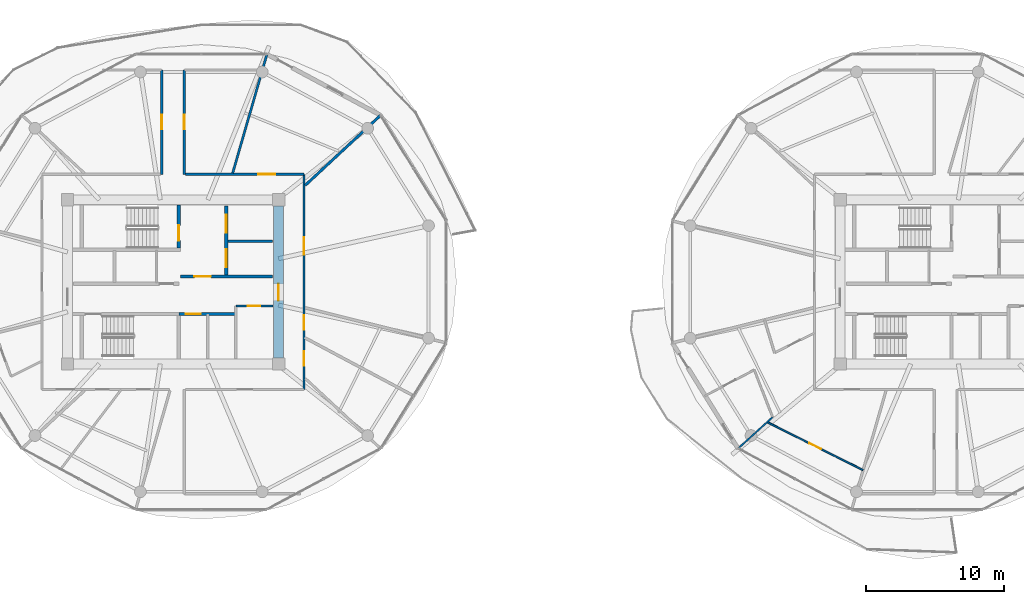
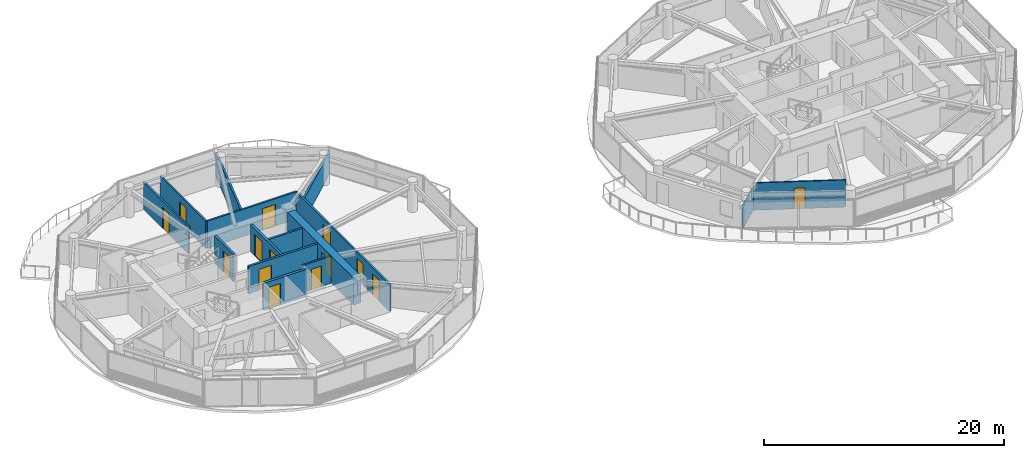
# One storey, part 16 of 23: 15 walls, 14 doors, 14 openings.
"""IFC4 building model written with IfcOpenShell, lengths in metres."""

from ifc_helpers import new_model, si_unit, direction, frame, frame_2d, origin, place, context, subcontext, project, spatial, rectangle, extrude, source, transform, mapped, material, layer, layer_set, type_object, type_shapes, element, fill, save


model = new_model("IFC4")

# Units and contexts
model_context = context("Model", 3, precision=1e-05, world=origin(), true_north=direction((0.0, 1.0)))
body_context = subcontext(model_context, "Body", "Model", "MODEL_VIEW")
ifc_project = project(units=[si_unit("LENGTHUNIT", "METRE"), si_unit("AREAUNIT", "SQUARE_METRE"), si_unit("VOLUMEUNIT", "CUBIC_METRE"), si_unit("PLANEANGLEUNIT", "RADIAN"), si_unit("MASSUNIT", "GRAM", prefix="KILO")], contexts=[model_context])

# Site, building, storey
site_placement = place(None, origin())
site = spatial("IfcSite", under=ifc_project, at=site_placement, CompositionType="ELEMENT")
building_placement = place(site_placement, origin())
building = spatial("IfcBuilding", under=site, at=building_placement, Name="Norrkilde Senior Care Towers", CompositionType="ELEMENT")
storey_placement = place(building_placement, frame((0.0, 0.0, 81.0)))
storey = spatial("IfcBuildingStorey", under=building, at=storey_placement, Name="L24", CompositionType="ELEMENT", Elevation=81.0)

# Wall, opening, door
ifc_material_1 = material(Name="Concrete C60/75", Category="concrete")
ifc_layer_1 = layer(ifc_material_1, 0.719970703125)
ifc_layer_set_1 = layer_set([ifc_layer_1], Name="Concrete C60/75")
wall_type_1 = type_object("IfcWallType", Name="Core Shear Wall Z2 720", PredefinedType="SHEAR", material=ifc_layer_set_1)
shared_shape_1 = source(origin(), body_context, "Body", "SweptSolid", [
    extrude(rectangle(XDim=11.0, YDim=0.719970703125, at=frame_2d((5.5, 0.0))), origin(), (0.0, 0.0, 1.0), 2.7900390625),
])
type_shapes(wall_type_1, [shared_shape_1])
wall_1_placement = place(storey_placement, frame((-20.35009765625, 5.5, 0.0), z_axis=(0.0, 0.0, 1.0), x_axis=(0.0, -1.0, 0.0)))
wall_1 = element("IfcWall", 1, at=wall_1_placement, inside=storey, type_object=wall_type_1, Name="L24 Core W East Shear Wall", PredefinedType="SHEAR", context=body_context, shape_type="MappedRepresentation", body=[
    mapped(shared_shape_1, transform((0.0, 0.0, 0.0), x_axis=(1.0, 0.0, 0.0), y_axis=(0.0, 1.0, 0.0), z_axis=(0.0, 0.0, 1.0), scale=1.0)),
])
opening_1_placement = place(wall_1_placement, frame((5.64990234375, 0.0, 0.0)))
opening_1 = element("IfcOpeningElement", 2, at=opening_1_placement, cuts=wall_1, Name="Opening D-04", PredefinedType="OPENING", context=body_context, shape_type="SweptSolid", body=[
    extrude(rectangle(XDim=1.199951171875, YDim=2.14990234375, at=frame_2d((0.60009765625, 1.074951171875))), frame((0.0, 0.369873046875, 0.0), z_axis=(0.0, -1.0, 0.0), x_axis=(1.0, 0.0, 0.0)), (0.0, 0.0, 1.0), 0.739990234375),
])
ifc_material_2 = material(Name="Galvanised Painted Steel", Category="steel")
door_type_1 = type_object("IfcDoorType", Name="Firefighting Lobby Fire Door 1200x2150", OperationType="NOTDEFINED", PredefinedType="DOOR", material=ifc_material_2)
shared_shape_2 = source(origin(), body_context, "Body", "SweptSolid", [
    extrude(rectangle(XDim=1.199951171875, YDim=2.14990234375, at=frame_2d((0.60009765625, 1.074951171875))), frame((0.0, 0.02490234375, 0.0), z_axis=(0.0, -1.0, 0.0), x_axis=(1.0, 0.0, 0.0)), (0.0, 0.0, 1.0), 0.050048828125),
])
type_shapes(door_type_1, [shared_shape_2])
door_1_placement = place(opening_1_placement, frame((1.199951171875, 0.0, 0.0), z_axis=(0.0, 0.0, 1.0), x_axis=(-1.0, 0.0, 0.0)))
door_1 = element("IfcDoor", 3, at=door_1_placement, inside=storey, type_object=door_type_1, Name="L24 Core W East Portal Door", OperationType="SINGLE_SWING_RIGHT", OverallHeight=2.14990234375, OverallWidth=1.199951171875, PredefinedType="DOOR", context=body_context, shape_type="MappedRepresentation", body=[
    mapped(shared_shape_2, transform((0.0, 0.0, 0.0), x_axis=(1.0, 0.0, 0.0), y_axis=(0.0, 1.0, 0.0), z_axis=(0.0, 0.0, 1.0), scale=1.0)),
])
fill(opening_1, door_1)

# Wall, openings, doors
ifc_material_3 = material(Name="Concrete C45/55", Category="concrete")
ifc_layer_2 = layer(ifc_material_3, 0.239990234375)
ifc_layer_set_2 = layer_set([ifc_layer_2], Name="Concrete C45/55")
wall_type_2 = type_object("IfcWallType", Name="Lift and Plant Rated Enclosure Partition 240", PredefinedType="PARTITIONING", material=ifc_layer_set_2)
shared_shape_3 = source(origin(), body_context, "Body", "SweptSolid", [
    extrude(rectangle(XDim=5.0, YDim=0.239990234375, at=frame_2d((2.5, 0.0))), origin(), (0.0, 0.0, 1.0), 2.77490234375),
])
wall_2_placement = place(storey_placement, frame((-24.139892578125, 0.5, 0.0), z_axis=(0.0, 0.0, 1.0), x_axis=(0.0, 1.0, 0.0)))
wall_2 = element("IfcWall", 4, at=wall_2_placement, inside=storey, type_object=wall_type_2, Name="WL-INT-L24-W-FFLE", PredefinedType="PARTITIONING", context=body_context, shape_type="MappedRepresentation", body=[
    mapped(shared_shape_3, transform((0.0, 0.0, 0.0), x_axis=(1.0, 0.0, 0.0), y_axis=(0.0, 1.0, 0.0), z_axis=(0.0, 0.0, 1.0), scale=1.0)),
])
opening_2_placement = place(wall_2_placement, frame((3.050048828125, 0.0, 0.0)))
opening_2 = element("IfcOpeningElement", 5, at=opening_2_placement, cuts=wall_2, Name="Opening LD-02", PredefinedType="OPENING", context=body_context, shape_type="SweptSolid", body=[
    extrude(rectangle(XDim=1.300048828125, YDim=2.199951171875, at=frame_2d((0.64990234375, 1.10009765625))), frame((0.0, 0.1298828125, 0.0), z_axis=(0.0, -1.0, 0.0), x_axis=(1.0, 0.0, 0.0)), (0.0, 0.0, 1.0), 0.260009765625),
])
opening_3_placement = place(wall_2_placement, frame((0.550048828125, 0.0, 0.0)))
opening_3 = element("IfcOpeningElement", 6, at=opening_3_placement, cuts=wall_2, Name="Opening LD-02", PredefinedType="OPENING", context=body_context, shape_type="SweptSolid", body=[
    extrude(rectangle(XDim=1.300048828125, YDim=2.199951171875, at=frame_2d((0.64990234375, 1.10009765625))), frame((0.0, 0.1298828125, 0.0), z_axis=(0.0, -1.0, 0.0), x_axis=(1.0, 0.0, 0.0)), (0.0, 0.0, 1.0), 0.260009765625),
])
ifc_material_4 = material(Name="Stainless Steel", Category="steel")
door_type_2 = type_object("IfcDoorType", Name="Stretcher and FFL Landing Sliding Door 1300x2200", OperationType="NOTDEFINED", PredefinedType="DOOR", material=ifc_material_4)
shared_shape_4 = source(origin(), body_context, "Body", "SweptSolid", [
    extrude(rectangle(XDim=1.300048828125, YDim=2.199951171875, at=frame_2d((0.64990234375, 1.10009765625))), frame((0.0, 0.02490234375, 0.0), z_axis=(0.0, -1.0, 0.0), x_axis=(1.0, 0.0, 0.0)), (0.0, 0.0, 1.0), 0.050048828125),
])
type_shapes(door_type_2, [shared_shape_4])
door_2_placement = place(opening_2_placement, origin())
door_2 = element("IfcDoor", 7, at=door_2_placement, inside=storey, type_object=door_type_2, Name="L24 Firefighting Lift W1 Landing Door", OperationType="SLIDING_TO_LEFT", OverallHeight=2.199951171875, OverallWidth=1.300048828125, PredefinedType="DOOR", context=body_context, shape_type="MappedRepresentation", body=[
    mapped(shared_shape_4, transform((0.0, 0.0, 0.0), x_axis=(1.0, 0.0, 0.0), y_axis=(0.0, 1.0, 0.0), z_axis=(0.0, 0.0, 1.0), scale=1.0)),
])
fill(opening_2, door_2)
door_3_placement = place(opening_3_placement, origin())
door_3 = element("IfcDoor", 8, at=door_3_placement, inside=storey, type_object=door_type_2, Name="L24 Stretcher Lift W1 Landing Door", OperationType="SLIDING_TO_RIGHT", OverallHeight=2.199951171875, OverallWidth=1.300048828125, PredefinedType="DOOR", context=body_context, shape_type="MappedRepresentation", body=[
    mapped(shared_shape_4, transform((0.0, 0.0, 0.0), x_axis=(1.0, 0.0, 0.0), y_axis=(0.0, 1.0, 0.0), z_axis=(0.0, 0.0, 1.0), scale=1.0)),
])
fill(opening_3, door_3)

# Wall
ifc_layer_3 = layer(ifc_material_3, 0.199951171875)
ifc_layer_set_3 = layer_set([ifc_layer_3], Name="Concrete C45/55")
wall_type_3 = type_object("IfcWallType", Name="Shaft Division and Plant Partition 200", PredefinedType="PARTITIONING", material=ifc_layer_set_3)
shared_shape_5 = source(origin(), body_context, "Body", "SweptSolid", [
    extrude(rectangle(XDim=3.199951171875, YDim=0.199951171875, at=frame_2d((1.60009765625, 0.0))), origin(), (0.0, 0.0, 1.0), 2.77490234375),
])
type_shapes(wall_type_3, [shared_shape_5])
wall_3_placement = place(storey_placement, frame((-24.0, 2.949951171875, 0.0), z_axis=(0.0, 0.0, 1.0), x_axis=(1.0, 0.0, 0.0)))
element("IfcWall", 9, at=wall_3_placement, inside=storey, type_object=wall_type_3, Name="WL-INT-L24-W-FFLDIV", PredefinedType="PARTITIONING", context=body_context, shape_type="MappedRepresentation", body=[
    mapped(shared_shape_5, transform((0.0, 0.0, 0.0), x_axis=(1.0, 0.0, 0.0), y_axis=(0.0, 1.0, 0.0), z_axis=(0.0, 0.0, 1.0), scale=1.0)),
])

# Wall, opening, door
ifc_layer_4 = layer(ifc_material_3, 0.2099609375)
ifc_layer_set_4 = layer_set([ifc_layer_4], Name="Concrete C45/55")
wall_type_4 = type_object("IfcWallType", Name="Firefighting Lobby Wall 210", PredefinedType="PARTITIONING", material=ifc_layer_set_4)
shared_shape_6 = source(origin(), body_context, "Body", "SweptSolid", [
    extrude(rectangle(XDim=6.659912109375, YDim=0.2099609375, at=frame_2d((3.330078125, 0.0))), origin(), (0.0, 0.0, 1.0), 2.77490234375),
])
type_shapes(wall_type_4, [shared_shape_6])
wall_4_placement = place(storey_placement, frame((-27.4599609375, 0.389892578125, 0.0), z_axis=(0.0, 0.0, 1.0), x_axis=(1.0, 0.0, 0.0)))
wall_4 = element("IfcWall", 10, at=wall_4_placement, inside=storey, type_object=wall_type_4, Name="WL-INT-L24-W-FFLS", PredefinedType="PARTITIONING", context=body_context, shape_type="MappedRepresentation", body=[
    mapped(shared_shape_6, transform((0.0, 0.0, 0.0), x_axis=(1.0, 0.0, 0.0), y_axis=(0.0, 1.0, 0.0), z_axis=(0.0, 0.0, 1.0), scale=1.0)),
])
opening_4_placement = place(wall_4_placement, frame((1.0, 0.0, 0.0)))
opening_4 = element("IfcOpeningElement", 11, at=opening_4_placement, cuts=wall_4, Name="Opening D-04", PredefinedType="OPENING", context=body_context, shape_type="SweptSolid", body=[
    extrude(rectangle(XDim=1.199951171875, YDim=2.14990234375, at=frame_2d((0.60009765625, 1.074951171875))), frame((0.0, 0.114990234375, 0.0), z_axis=(0.0, -1.0, 0.0), x_axis=(1.0, 0.0, 0.0)), (0.0, 0.0, 1.0), 0.22998046875),
])
door_4_placement = place(opening_4_placement, frame((1.199951171875, 0.0, 0.0), z_axis=(0.0, 0.0, 1.0), x_axis=(-1.0, 0.0, 0.0)))
door_4 = element("IfcDoor", 12, at=door_4_placement, inside=storey, type_object=door_type_1, Name="L24 Firefighting Lobby W Door", OperationType="SINGLE_SWING_LEFT", OverallHeight=2.14990234375, OverallWidth=1.199951171875, PredefinedType="DOOR", context=body_context, shape_type="MappedRepresentation", body=[
    mapped(shared_shape_2, transform((0.0, 0.0, 0.0), x_axis=(1.0, 0.0, 0.0), y_axis=(0.0, 1.0, 0.0), z_axis=(0.0, 0.0, 1.0), scale=1.0)),
])
fill(opening_4, door_4)

shared_shape_7 = source(origin(), body_context, "Body", "SweptSolid", [
    extrude(rectangle(XDim=4.130126953125, YDim=0.239990234375, at=frame_2d((2.06494140625, 0.0))), origin(), (0.0, 0.0, 1.0), 2.77490234375),
])
type_shapes(wall_type_2, [shared_shape_3, shared_shape_7])
wall_5_placement = place(storey_placement, frame((-27.580078125, -2.330078125, 0.0), z_axis=(0.0, 0.0, 1.0), x_axis=(1.0, 0.0, 0.0)))
wall_5 = element("IfcWall", 13, at=wall_5_placement, inside=storey, type_object=wall_type_2, Name="WL-INT-L24-W-PKBN", PredefinedType="PARTITIONING", context=body_context, shape_type="MappedRepresentation", body=[
    mapped(shared_shape_7, transform((0.0, 0.0, 0.0), x_axis=(1.0, 0.0, 0.0), y_axis=(0.0, 1.0, 0.0), z_axis=(0.0, 0.0, 1.0), scale=1.0)),
])
opening_5_placement = place(wall_5_placement, frame((0.5, 0.0, 0.0)))
opening_5 = element("IfcOpeningElement", 14, at=opening_5_placement, cuts=wall_5, Name="Opening LD-01", PredefinedType="OPENING", context=body_context, shape_type="SweptSolid", body=[
    extrude(rectangle(XDim=1.10009765625, YDim=2.199951171875, at=frame_2d((0.550048828125, 1.10009765625))), frame((0.0, 0.1298828125, 0.0), z_axis=(0.0, -1.0, 0.0), x_axis=(1.0, 0.0, 0.0)), (0.0, 0.0, 1.0), 0.260009765625),
])
door_type_3 = type_object("IfcDoorType", Name="Lift Landing Sliding Door 1100x2200", OperationType="NOTDEFINED", PredefinedType="DOOR", material=ifc_material_4)
shared_shape_8 = source(origin(), body_context, "Body", "SweptSolid", [
    extrude(rectangle(XDim=1.10009765625, YDim=2.199951171875, at=frame_2d((0.550048828125, 1.10009765625))), frame((0.0, 0.02490234375, 0.0), z_axis=(0.0, -1.0, 0.0), x_axis=(1.0, 0.0, 0.0)), (0.0, 0.0, 1.0), 0.050048828125),
])
type_shapes(door_type_3, [shared_shape_8])
door_5_placement = place(opening_5_placement, frame((1.10009765625, 0.0, 0.0), z_axis=(0.0, 0.0, 1.0), x_axis=(-1.0, 0.0, 0.0)))
door_5 = element("IfcDoor", 15, at=door_5_placement, inside=storey, type_object=door_type_3, Name="L24 Passenger Lift W3 Landing Door", OperationType="SLIDING_TO_LEFT", OverallHeight=2.199951171875, OverallWidth=1.10009765625, PredefinedType="DOOR", context=body_context, shape_type="MappedRepresentation", body=[
    mapped(shared_shape_8, transform((0.0, 0.0, 0.0), x_axis=(1.0, 0.0, 0.0), y_axis=(0.0, 1.0, 0.0), z_axis=(0.0, 0.0, 1.0), scale=1.0)),
])
fill(opening_5, door_5)

ifc_material_5 = material(Name="Gypsum Acoustic Board")
ifc_layer_5 = layer(ifc_material_5, 0.1650390625)
ifc_layer_set_5 = layer_set([ifc_layer_5], Name="Gypsum Acoustic Board")
wall_type_5 = type_object("IfcWallType", Name="Corridor Rated Partition 165", PredefinedType="PARTITIONING", material=ifc_layer_set_5)
shared_shape_9 = source(origin(), body_context, "Body", "SweptSolid", [
    extrude(rectangle(XDim=2.699951171875, YDim=0.1650390625, at=frame_2d((1.35009765625, 0.0))), origin(), (0.0, 0.0, 1.0), 2.77490234375),
])
wall_6_placement = place(storey_placement, frame((-23.449951171875, -1.75, 0.0), z_axis=(0.0, 0.0, 1.0), x_axis=(1.0, 0.0, 0.0)))
wall_6 = element("IfcWall", 16, at=wall_6_placement, inside=storey, type_object=wall_type_5, Name="WL-INT-L24-W-CSN", PredefinedType="PARTITIONING", context=body_context, shape_type="MappedRepresentation", body=[
    mapped(shared_shape_9, transform((0.0, 0.0, 0.0), x_axis=(1.0, 0.0, 0.0), y_axis=(0.0, 1.0, 0.0), z_axis=(0.0, 0.0, 1.0), scale=1.0)),
])
opening_6_placement = place(wall_6_placement, frame((0.85009765625, 0.0, 0.0)))
opening_6 = element("IfcOpeningElement", 17, at=opening_6_placement, cuts=wall_6, Name="Opening D-12", PredefinedType="OPENING", context=body_context, shape_type="SweptSolid", body=[
    extrude(rectangle(XDim=0.925048828125, YDim=2.10009765625, at=frame_2d((0.46240234375, 1.050048828125))), frame((0.0, 0.092529296875, 0.0), z_axis=(0.0, -1.0, 0.0), x_axis=(1.0, 0.0, 0.0)), (0.0, 0.0, 1.0), 0.18505859375),
])
door_type_4 = type_object("IfcDoorType", Name="Core Wet Room Rated Door 925x2100", OperationType="NOTDEFINED", PredefinedType="DOOR", material=ifc_material_2)
shared_shape_10 = source(origin(), body_context, "Body", "SweptSolid", [
    extrude(rectangle(XDim=0.925048828125, YDim=2.10009765625, at=frame_2d((0.46240234375, 1.050048828125))), frame((0.0, 0.02490234375, 0.0), z_axis=(0.0, -1.0, 0.0), x_axis=(1.0, 0.0, 0.0)), (0.0, 0.0, 1.0), 0.050048828125),
])
type_shapes(door_type_4, [shared_shape_10])
door_6_placement = place(opening_6_placement, origin())
door_6 = element("IfcDoor", 18, at=door_6_placement, inside=storey, type_object=door_type_4, Name="L24 Core Utility W Door", OperationType="SINGLE_SWING_LEFT", OverallHeight=2.10009765625, OverallWidth=0.925048828125, PredefinedType="DOOR", context=body_context, shape_type="MappedRepresentation", body=[
    mapped(shared_shape_10, transform((0.0, 0.0, 0.0), x_axis=(1.0, 0.0, 0.0), y_axis=(0.0, 1.0, 0.0), z_axis=(0.0, 0.0, 1.0), scale=1.0)),
])
fill(opening_6, door_6)

# Wall, openings, doors
shared_shape_11 = source(origin(), body_context, "Body", "SweptSolid", [
    extrude(rectangle(XDim=15.60009765625, YDim=0.1650390625, at=frame_2d((7.800048828125, 0.0))), origin(), (0.0, 0.0, 1.0), 2.77490234375),
])
wall_7_placement = place(storey_placement, frame((-18.5, 7.800048828125, 0.0), z_axis=(0.0, 0.0, 1.0), x_axis=(0.0, -1.0, 0.0)))
wall_7 = element("IfcWall", 19, at=wall_7_placement, inside=storey, type_object=wall_type_5, Name="WL-INT-L24-W-CRW-E-0", PredefinedType="PARTITIONING", context=body_context, shape_type="MappedRepresentation", body=[
    mapped(shared_shape_11, transform((0.0, 0.0, 0.0), x_axis=(1.0, 0.0, 0.0), y_axis=(0.0, 1.0, 0.0), z_axis=(0.0, 0.0, 1.0), scale=1.0)),
])
opening_7_placement = place(wall_7_placement, frame((12.8095703125, 0.0, 0.0)))
opening_7 = element("IfcOpeningElement", 20, at=opening_7_placement, cuts=wall_7, Name="Opening D-06", PredefinedType="OPENING", context=body_context, shape_type="SweptSolid", body=[
    extrude(rectangle(XDim=1.050048828125, YDim=2.14990234375, at=frame_2d((0.52490234375, 1.074951171875))), frame((0.0, 0.092529296875, 0.0), z_axis=(0.0, -1.0, 0.0), x_axis=(1.0, 0.0, 0.0)), (0.0, 0.0, 1.0), 0.18505859375),
])
opening_8_placement = place(wall_7_placement, frame((10.21044921875, 0.0, 0.0)))
opening_8 = element("IfcOpeningElement", 21, at=opening_8_placement, cuts=wall_7, Name="Opening D-06", PredefinedType="OPENING", context=body_context, shape_type="SweptSolid", body=[
    extrude(rectangle(XDim=1.050048828125, YDim=2.14990234375, at=frame_2d((0.52490234375, 1.074951171875))), frame((0.0, 0.092529296875, 0.0), z_axis=(0.0, -1.0, 0.0), x_axis=(1.0, 0.0, 0.0)), (0.0, 0.0, 1.0), 0.18505859375),
])
opening_9_placement = place(wall_7_placement, frame((4.57470703125, 0.0, 0.0)))
opening_9 = element("IfcOpeningElement", 22, at=opening_9_placement, cuts=wall_7, Name="Opening D-05", PredefinedType="OPENING", context=body_context, shape_type="SweptSolid", body=[
    extrude(rectangle(XDim=1.25, YDim=2.199951171875, at=frame_2d((0.625, 1.10009765625))), frame((0.0, 0.092529296875, 0.0), z_axis=(0.0, -1.0, 0.0), x_axis=(1.0, 0.0, 0.0)), (0.0, 0.0, 1.0), 0.18505859375),
])
ifc_material_6 = material(Name="Nordic Ash Timber", Category="wood")
door_type_5 = type_object("IfcDoorType", Name="Care Bedroom Bariatric Door 1250x2200", OperationType="NOTDEFINED", PredefinedType="DOOR", material=ifc_material_6)
shared_shape_12 = source(origin(), body_context, "Body", "SweptSolid", [
    extrude(rectangle(XDim=1.25, YDim=2.199951171875, at=frame_2d((0.625, 1.10009765625))), frame((0.0, 0.02490234375, 0.0), z_axis=(0.0, -1.0, 0.0), x_axis=(1.0, 0.0, 0.0)), (0.0, 0.0, 1.0), 0.050048828125),
])
type_shapes(door_type_5, [shared_shape_12])
door_7_placement = place(opening_9_placement, frame((1.25, 0.0, 0.0), z_axis=(0.0, 0.0, 1.0), x_axis=(-1.0, 0.0, 0.0)))
door_7 = element("IfcDoor", 23, at=door_7_placement, inside=storey, type_object=door_type_5, Name="L24 Resident Therapeutic Day Lounge Door", OperationType="SINGLE_SWING_RIGHT", OverallHeight=2.199951171875, OverallWidth=1.25, PredefinedType="DOOR", context=body_context, shape_type="MappedRepresentation", body=[
    mapped(shared_shape_12, transform((0.0, 0.0, 0.0), x_axis=(1.0, 0.0, 0.0), y_axis=(0.0, 1.0, 0.0), z_axis=(0.0, 0.0, 1.0), scale=1.0)),
])
fill(opening_9, door_7)
door_type_6 = type_object("IfcDoorType", Name="Apartment Entrance Fire Door 1050x2150", OperationType="NOTDEFINED", PredefinedType="DOOR", material=ifc_material_6)
shared_shape_13 = source(origin(), body_context, "Body", "SweptSolid", [
    extrude(rectangle(XDim=1.050048828125, YDim=2.14990234375, at=frame_2d((0.52490234375, 1.074951171875))), frame((0.0, 0.02490234375, 0.0), z_axis=(0.0, -1.0, 0.0), x_axis=(1.0, 0.0, 0.0)), (0.0, 0.0, 1.0), 0.050048828125),
])
type_shapes(door_type_6, [shared_shape_13])
door_8_placement = place(opening_7_placement, frame((1.050048828125, 0.0, 0.0), z_axis=(0.0, 0.0, 1.0), x_axis=(-1.0, 0.0, 0.0)))
door_8 = element("IfcDoor", 24, at=door_8_placement, inside=storey, type_object=door_type_6, Name="L24 Physiotherapy Clinic 10A Door", OperationType="SINGLE_SWING_LEFT", OverallHeight=2.14990234375, OverallWidth=1.050048828125, PredefinedType="DOOR", context=body_context, shape_type="MappedRepresentation", body=[
    mapped(shared_shape_13, transform((0.0, 0.0, 0.0), x_axis=(1.0, 0.0, 0.0), y_axis=(0.0, 1.0, 0.0), z_axis=(0.0, 0.0, 1.0), scale=1.0)),
])
fill(opening_7, door_8)
door_9_placement = place(opening_8_placement, frame((1.050048828125, 0.0, 0.0), z_axis=(0.0, 0.0, 1.0), x_axis=(-1.0, 0.0, 0.0)))
door_9 = element("IfcDoor", 25, at=door_9_placement, inside=storey, type_object=door_type_6, Name="L24 Assessment Clinic 10B Door", OperationType="SINGLE_SWING_RIGHT", OverallHeight=2.14990234375, OverallWidth=1.050048828125, PredefinedType="DOOR", context=body_context, shape_type="MappedRepresentation", body=[
    mapped(shared_shape_13, transform((0.0, 0.0, 0.0), x_axis=(1.0, 0.0, 0.0), y_axis=(0.0, 1.0, 0.0), z_axis=(0.0, 0.0, 1.0), scale=1.0)),
])
fill(opening_8, door_9)

# Wall, opening, door
ifc_layer_6 = layer(ifc_material_3, 0.239990234375)
ifc_layer_set_6 = layer_set([ifc_layer_6], Name="Concrete C45/55")
wall_type_6 = type_object("IfcWallType", Name="Shaft and Stair Enclosure Wall 240", PredefinedType="PARTITIONING", material=ifc_layer_set_6)
shared_shape_14 = source(origin(), body_context, "Body", "SweptSolid", [
    extrude(rectangle(XDim=3.14013671875, YDim=0.239990234375, at=frame_2d((1.570068359375, 0.0))), origin(), (0.0, 0.0, 1.0), 2.7900390625),
])
type_shapes(wall_type_6, [shared_shape_14])
wall_8_placement = place(storey_placement, frame((-27.580078125, 2.449951171875, 0.0), z_axis=(0.0, 0.0, 1.0), x_axis=(0.0, 1.0, 0.0)))
wall_8 = element("IfcWall", 26, at=wall_8_placement, inside=storey, type_object=wall_type_6, Name="WL-INT-L24-W-ST1E", PredefinedType="PARTITIONING", context=body_context, shape_type="MappedRepresentation", body=[
    mapped(shared_shape_14, transform((0.0, 0.0, 0.0), x_axis=(1.0, 0.0, 0.0), y_axis=(0.0, 1.0, 0.0), z_axis=(0.0, 0.0, 1.0), scale=1.0)),
])
opening_10_placement = place(wall_8_placement, frame((0.550048828125, 0.0, 0.0)))
opening_10 = element("IfcOpeningElement", 27, at=opening_10_placement, cuts=wall_8, Name="Opening D-03", PredefinedType="OPENING", context=body_context, shape_type="SweptSolid", body=[
    extrude(rectangle(XDim=1.10009765625, YDim=2.14990234375, at=frame_2d((0.550048828125, 1.074951171875))), frame((0.0, 0.1298828125, 0.0), z_axis=(0.0, -1.0, 0.0), x_axis=(1.0, 0.0, 0.0)), (0.0, 0.0, 1.0), 0.260009765625),
])
door_type_7 = type_object("IfcDoorType", Name="Stairwell Protected Fire Door 1100x2150", OperationType="NOTDEFINED", PredefinedType="DOOR", material=ifc_material_2)
shared_shape_15 = source(origin(), body_context, "Body", "SweptSolid", [
    extrude(rectangle(XDim=1.10009765625, YDim=2.14990234375, at=frame_2d((0.550048828125, 1.074951171875))), frame((0.0, 0.02490234375, 0.0), z_axis=(0.0, -1.0, 0.0), x_axis=(1.0, 0.0, 0.0)), (0.0, 0.0, 1.0), 0.050048828125),
])
type_shapes(door_type_7, [shared_shape_15])
door_10_placement = place(opening_10_placement, origin())
door_10 = element("IfcDoor", 28, at=door_10_placement, inside=storey, type_object=door_type_7, Name="L24 Stair W1 Fire Door", OperationType="SINGLE_SWING_LEFT", OverallHeight=2.14990234375, OverallWidth=1.10009765625, PredefinedType="DOOR", context=body_context, shape_type="MappedRepresentation", body=[
    mapped(shared_shape_15, transform((0.0, 0.0, 0.0), x_axis=(1.0, 0.0, 0.0), y_axis=(0.0, 1.0, 0.0), z_axis=(0.0, 0.0, 1.0), scale=1.0)),
])
fill(opening_10, door_10)

shared_shape_16 = source(origin(), body_context, "Body", "SweptSolid", [
    extrude(rectangle(XDim=8.60009765625, YDim=0.1650390625, at=frame_2d((4.300048828125, 0.0))), origin(), (0.0, 0.0, 1.0), 2.77490234375),
])
wall_9_placement = place(storey_placement, frame((-27.10009765625, 7.800048828125, 0.0), z_axis=(0.0, 0.0, 1.0), x_axis=(1.0, 0.0, 0.0)))
wall_9 = element("IfcWall", 29, at=wall_9_placement, inside=storey, type_object=wall_type_5, Name="WL-INT-L24-W-CRW-N-1", PredefinedType="PARTITIONING", context=body_context, shape_type="MappedRepresentation", body=[
    mapped(shared_shape_16, transform((0.0, 0.0, 0.0), x_axis=(1.0, 0.0, 0.0), y_axis=(0.0, 1.0, 0.0), z_axis=(0.0, 0.0, 1.0), scale=1.0)),
])
opening_11_placement = place(wall_9_placement, frame((5.27490234375, 0.0, 0.0)))
opening_11 = element("IfcOpeningElement", 30, at=opening_11_placement, cuts=wall_9, Name="Opening D-05", PredefinedType="OPENING", context=body_context, shape_type="SweptSolid", body=[
    extrude(rectangle(XDim=1.25, YDim=2.199951171875, at=frame_2d((0.625, 1.10009765625))), frame((0.0, 0.092529296875, 0.0), z_axis=(0.0, -1.0, 0.0), x_axis=(1.0, 0.0, 0.0)), (0.0, 0.0, 1.0), 0.18505859375),
])
door_11_placement = place(opening_11_placement, frame((1.25, 0.0, 0.0), z_axis=(0.0, 0.0, 1.0), x_axis=(-1.0, 0.0, 0.0)))
door_11 = element("IfcDoor", 31, at=door_11_placement, inside=storey, type_object=door_type_5, Name="L24 Household Therapeutic Kitchen Door", OperationType="SINGLE_SWING_RIGHT", OverallHeight=2.199951171875, OverallWidth=1.25, PredefinedType="DOOR", context=body_context, shape_type="MappedRepresentation", body=[
    mapped(shared_shape_12, transform((0.0, 0.0, 0.0), x_axis=(1.0, 0.0, 0.0), y_axis=(0.0, 1.0, 0.0), z_axis=(0.0, 0.0, 1.0), scale=1.0)),
])
fill(opening_11, door_11)

# Wall
shared_shape_17 = source(origin(), body_context, "Body", "SweptSolid", [
    extrude(rectangle(XDim=8.9892578125, YDim=0.1650390625, at=frame_2d((4.49462890625, 0.0))), origin(), (0.0, 0.0, 1.0), 2.4150390625),
])
wall_10_placement = place(storey_placement, frame((-23.677978515625, 7.8798828125, 0.0), z_axis=(0.0, 0.0, 1.0), x_axis=(0.27702323008, 0.960863221274, 0.0)))
element("IfcWall", 32, at=wall_10_placement, inside=storey, type_object=wall_type_5, Name="WL-INT-L24-W-DEM-02-0", PredefinedType="PARTITIONING", context=body_context, shape_type="MappedRepresentation", body=[
    mapped(shared_shape_17, transform((0.0, 0.0, 0.0), x_axis=(1.0, 0.0, 0.0), y_axis=(0.0, 1.0, 0.0), z_axis=(0.0, 0.0, 1.0), scale=1.0)),
])

# Wall, opening, door
shared_shape_18 = source(origin(), body_context, "Body", "SweptSolid", [
    extrude(rectangle(XDim=7.56005859375, YDim=0.1650390625, at=frame_2d((3.780029296875, 0.0))), origin(), (0.0, 0.0, 1.0), 2.77490234375),
])
type_shapes(wall_type_5, [shared_shape_9, shared_shape_11, shared_shape_16, shared_shape_17, shared_shape_18])
wall_11_placement = place(storey_placement, frame((-28.820068359375, 7.800048828125, 0.0), z_axis=(0.0, 0.0, 1.0), x_axis=(0.0, 1.0, 0.0)))
wall_11 = element("IfcWall", 33, at=wall_11_placement, inside=storey, type_object=wall_type_5, Name="WL-INT-L24-W-PKW-NWL", PredefinedType="PARTITIONING", context=body_context, shape_type="MappedRepresentation", body=[
    mapped(shared_shape_18, transform((0.0, 0.0, 0.0), x_axis=(1.0, 0.0, 0.0), y_axis=(0.0, 1.0, 0.0), z_axis=(0.0, 0.0, 1.0), scale=1.0)),
])
opening_12_placement = place(wall_11_placement, frame((3.2548828125, 0.0, 0.0)))
opening_12 = element("IfcOpeningElement", 34, at=opening_12_placement, cuts=wall_11, Name="Opening D-06", PredefinedType="OPENING", context=body_context, shape_type="SweptSolid", body=[
    extrude(rectangle(XDim=1.050048828125, YDim=2.14990234375, at=frame_2d((0.52490234375, 1.074951171875))), frame((0.0, 0.092529296875, 0.0), z_axis=(0.0, -1.0, 0.0), x_axis=(1.0, 0.0, 0.0)), (0.0, 0.0, 1.0), 0.18505859375),
])
door_12_placement = place(opening_12_placement, frame((1.050048828125, 0.0, 0.0), z_axis=(0.0, 0.0, 1.0), x_axis=(-1.0, 0.0, 0.0)))
door_12 = element("IfcDoor", 35, at=door_12_placement, inside=storey, type_object=door_type_6, Name="L24 Reading Lounge NWL Door", OperationType="SINGLE_SWING_RIGHT", OverallHeight=2.14990234375, OverallWidth=1.050048828125, PredefinedType="DOOR", context=body_context, shape_type="MappedRepresentation", body=[
    mapped(shared_shape_13, transform((0.0, 0.0, 0.0), x_axis=(1.0, 0.0, 0.0), y_axis=(0.0, 1.0, 0.0), z_axis=(0.0, 0.0, 1.0), scale=1.0)),
])
fill(opening_12, door_12)

wall_12_placement = place(storey_placement, frame((-27.179931640625, 7.800048828125, 0.0), z_axis=(0.0, 0.0, 1.0), x_axis=(0.0, 1.0, 0.0)))
wall_12 = element("IfcWall", 36, at=wall_12_placement, inside=storey, type_object=wall_type_5, Name="WL-INT-L24-W-PKW-NEL", PredefinedType="PARTITIONING", context=body_context, shape_type="MappedRepresentation", body=[
    mapped(shared_shape_18, transform((0.0, 0.0, 0.0), x_axis=(1.0, 0.0, 0.0), y_axis=(0.0, 1.0, 0.0), z_axis=(0.0, 0.0, 1.0), scale=1.0)),
])
opening_13_placement = place(wall_12_placement, frame((3.2548828125, 0.0, 0.0)))
opening_13 = element("IfcOpeningElement", 37, at=opening_13_placement, cuts=wall_12, Name="Opening D-06", PredefinedType="OPENING", context=body_context, shape_type="SweptSolid", body=[
    extrude(rectangle(XDim=1.050048828125, YDim=2.14990234375, at=frame_2d((0.52490234375, 1.074951171875))), frame((0.0, 0.092529296875, 0.0), z_axis=(0.0, -1.0, 0.0), x_axis=(1.0, 0.0, 0.0)), (0.0, 0.0, 1.0), 0.18505859375),
])
door_13_placement = place(opening_13_placement, frame((1.050048828125, 0.0, 0.0), z_axis=(0.0, 0.0, 1.0), x_axis=(-1.0, 0.0, 0.0)))
door_13 = element("IfcDoor", 38, at=door_13_placement, inside=storey, type_object=door_type_6, Name="L24 Reading Lounge NEL Door", OperationType="SINGLE_SWING_RIGHT", OverallHeight=2.14990234375, OverallWidth=1.050048828125, PredefinedType="DOOR", context=body_context, shape_type="MappedRepresentation", body=[
    mapped(shared_shape_13, transform((0.0, 0.0, 0.0), x_axis=(1.0, 0.0, 0.0), y_axis=(0.0, 1.0, 0.0), z_axis=(0.0, 0.0, 1.0), scale=1.0)),
])
fill(opening_13, door_13)

# Wall
ifc_layer_7 = layer(ifc_material_5, 0.18994140625)
ifc_layer_set_7 = layer_set([ifc_layer_7], Name="Gypsum Acoustic Board")
wall_type_7 = type_object("IfcWallType", Name="Unit Demising Acoustic Wall 190", PredefinedType="PARTITIONING", material=ifc_layer_set_7)
shared_shape_19 = source(origin(), body_context, "Body", "SweptSolid", [
    extrude(rectangle(XDim=7.482177734375, YDim=0.18994140625, at=frame_2d((3.7412109375, 0.0))), origin(), (0.0, 0.0, 1.0), 2.27490234375),
])
type_shapes(wall_type_7, [shared_shape_19])
wall_13_placement = place(storey_placement, frame((-18.419921875, 6.998046875, 0.0), z_axis=(0.0, 0.0, 1.0), x_axis=(0.732508698043, 0.680757671489, 0.0)))
element("IfcWall", 39, at=wall_13_placement, inside=storey, type_object=wall_type_7, Name="WL-INT-L24-W-DEM-01-0", PredefinedType="PARTITIONING", context=body_context, shape_type="MappedRepresentation", body=[
    mapped(shared_shape_19, transform((0.0, 0.0, 0.0), x_axis=(1.0, 0.0, 0.0), y_axis=(0.0, 1.0, 0.0), z_axis=(0.0, 0.0, 1.0), scale=1.0)),
])

# Wall, opening, door
ifc_layer_8 = layer(ifc_material_5, 0.114990234375)
ifc_layer_set_8 = layer_set([ifc_layer_8], Name="Gypsum Acoustic Board")
wall_type_8 = type_object("IfcWallType", Name="Internal Room Partition 115", PredefinedType="PARTITIONING", material=ifc_layer_set_8)
shared_shape_20 = source(origin(), body_context, "Body", "SweptSolid", [
    extrude(rectangle(XDim=7.76708984375, YDim=0.114990234375, at=frame_2d((3.883544921875, 0.0))), origin(), (0.0, 0.0, 1.0), 2.77490234375),
])
wall_14_placement = place(storey_placement, frame((15.069580078125, -10.16748046875, 0.0), z_axis=(0.0, 0.0, 1.0), x_axis=(0.894188177352, -0.447691303783, 0.0)))
wall_14 = element("IfcWall", 40, at=wall_14_placement, inside=storey, type_object=wall_type_8, Name="WL-INT-L24-E-UBC-06-1", PredefinedType="PARTITIONING", context=body_context, shape_type="MappedRepresentation", body=[
    mapped(shared_shape_20, transform((0.0, 0.0, 0.0), x_axis=(1.0, 0.0, 0.0), y_axis=(0.0, 1.0, 0.0), z_axis=(0.0, 0.0, 1.0), scale=1.0)),
])
opening_14_placement = place(wall_14_placement, frame((3.40869140625, 0.0, 0.0)))
opening_14 = element("IfcOpeningElement", 41, at=opening_14_placement, cuts=wall_14, Name="Opening D-07", PredefinedType="OPENING", context=body_context, shape_type="SweptSolid", body=[
    extrude(rectangle(XDim=0.949951171875, YDim=2.10009765625, at=frame_2d((0.47509765625, 1.050048828125))), frame((0.0, 0.0673828125, 0.0), z_axis=(0.0, -1.0, 0.0), x_axis=(1.0, 0.0, 0.0)), (0.0, 0.0, 1.0), 0.135009765625),
])
door_type_8 = type_object("IfcDoorType", Name="Internal Suite Bedroom Door 950x2100", OperationType="NOTDEFINED", PredefinedType="DOOR", material=ifc_material_6)
shared_shape_21 = source(origin(), body_context, "Body", "SweptSolid", [
    extrude(rectangle(XDim=0.949951171875, YDim=2.10009765625, at=frame_2d((0.47509765625, 1.050048828125))), frame((0.0, 0.02490234375, 0.0), z_axis=(0.0, -1.0, 0.0), x_axis=(1.0, 0.0, 0.0)), (0.0, 0.0, 1.0), 0.050048828125),
])
type_shapes(door_type_8, [shared_shape_21])
door_14_placement = place(opening_14_placement, origin())
door_14 = element("IfcDoor", 42, at=door_14_placement, inside=storey, type_object=door_type_8, Name="Apartment 24C Bedroom 1 Door", OperationType="SINGLE_SWING_RIGHT", OverallHeight=2.10009765625, OverallWidth=0.949951171875, PredefinedType="DOOR", context=body_context, shape_type="MappedRepresentation", body=[
    mapped(shared_shape_21, transform((0.0, 0.0, 0.0), x_axis=(1.0, 0.0, 0.0), y_axis=(0.0, 1.0, 0.0), z_axis=(0.0, 0.0, 1.0), scale=1.0)),
])
fill(opening_14, door_14)

# Wall
shared_shape_22 = source(origin(), body_context, "Body", "SweptSolid", [
    extrude(rectangle(XDim=3.392822265625, YDim=0.114990234375, at=frame_2d((1.6962890625, 0.0))), origin(), (0.0, 0.0, 1.0), 2.4150390625),
])
type_shapes(wall_type_8, [shared_shape_20, shared_shape_22])
wall_15_placement = place(storey_placement, frame((15.451171875, -9.810791015625, 0.0), z_axis=(0.0, 0.0, 1.0), x_axis=(-0.740356690907, -0.672214229416, 0.0)))
element("IfcWall", 43, at=wall_15_placement, inside=storey, type_object=wall_type_8, Name="WL-INT-L24-E-UBR-06-1", PredefinedType="PARTITIONING", context=body_context, shape_type="MappedRepresentation", body=[
    mapped(shared_shape_22, transform((0.0, 0.0, 0.0), x_axis=(1.0, 0.0, 0.0), y_axis=(0.0, 1.0, 0.0), z_axis=(0.0, 0.0, 1.0), scale=1.0)),
])

save(model, "model.ifc")
